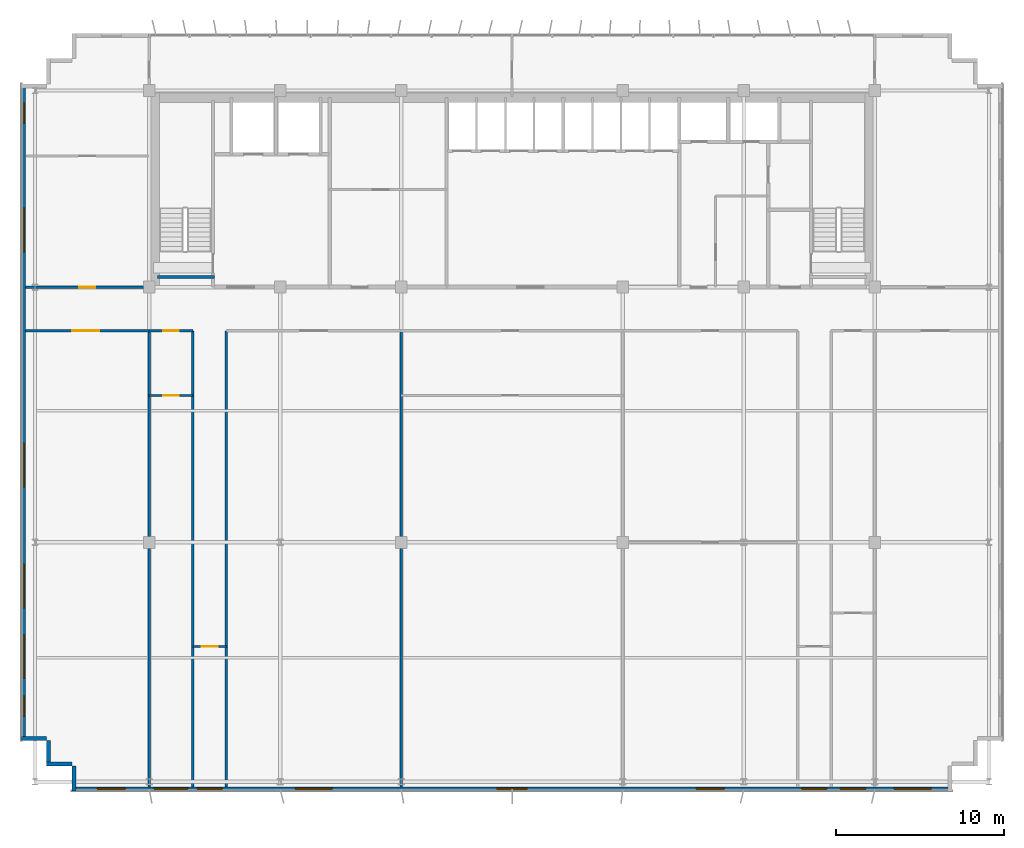
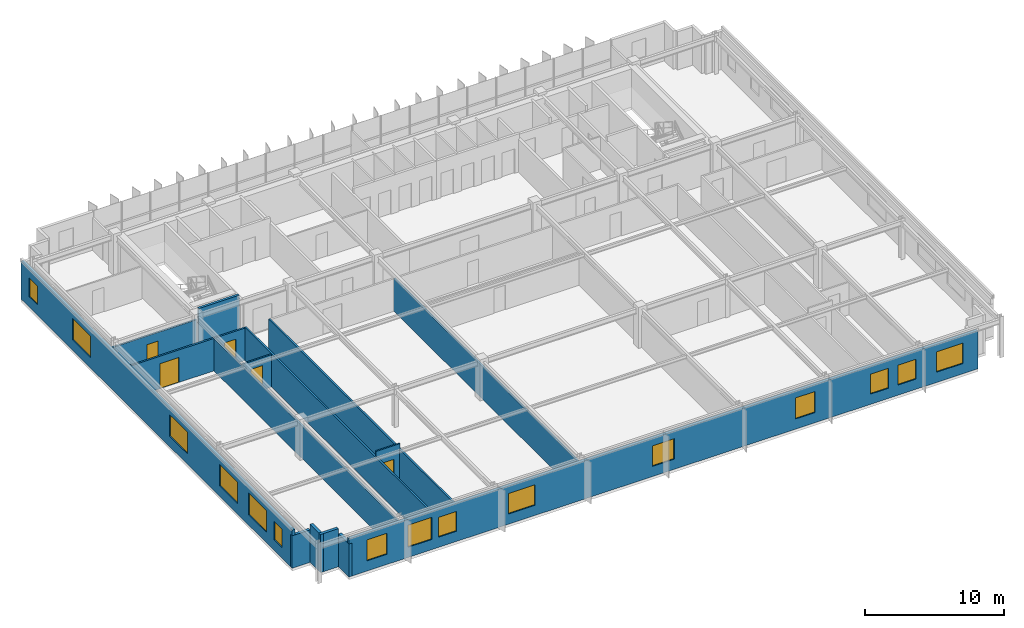
# One storey, part 14 of 19: 16 walls, 15 windows, 5 doors, 20 openings.
"""IFC4 building model written with IfcOpenShell, lengths in metres."""

from ifc_helpers import new_model, si_unit, direction, frame, frame_2d, origin, place, context, subcontext, project, spatial, rectangle, extrude, source, transform, mapped, material, layer, layer_set, type_object, element, fill, save


model = new_model("IFC4")

# Units and contexts
model_context = context("Model", 3, precision=1e-05, world=origin(), true_north=direction((0.0, 1.0)))
body_context = subcontext(model_context, "Body", "Model", "MODEL_VIEW")
ifc_project = project(units=[si_unit("LENGTHUNIT", "METRE"), si_unit("AREAUNIT", "SQUARE_METRE"), si_unit("VOLUMEUNIT", "CUBIC_METRE"), si_unit("PLANEANGLEUNIT", "RADIAN"), si_unit("MASSUNIT", "GRAM", prefix="KILO")], contexts=[model_context])

# Site, building, storey
site_placement = place(None, origin())
site = spatial("IfcSite", under=ifc_project, at=site_placement, CompositionType="ELEMENT")
building_placement = place(site_placement, origin())
building = spatial("IfcBuilding", under=site, at=building_placement, Name="Trelvane Seafront Commons", CompositionType="ELEMENT")
storey_placement = place(building_placement, frame((0.0, 0.0, 215.699951171875)))
storey = spatial("IfcBuildingStorey", under=building, at=storey_placement, Name="L56", CompositionType="ELEMENT", Elevation=215.699951171875)

# Walls
ifc_material_1 = material(Name="Precast concrete C40/50", Category="concrete")
ifc_layer_1 = layer(ifc_material_1, 0.239990234375, Name="ARCH-WALL-EXT240")
ifc_layer_set_1 = layer_set([ifc_layer_1], Name="Precast concrete C40/50")
wall_type_1 = type_object("IfcWallType", Name="ARCH-WALL-EXT240", PredefinedType="SOLIDWALL", material=ifc_layer_set_1)
for number, where, z_axis, x_axis, name in (
    (1, (11.0, 5.02001953125, 0.0), (0.0, 0.0, 1.0), (-1.0, 0.0, 0.0), "EW-L56-01122"),
    (2, (9.6201171875, 4.89990234375, 0.0), (0.0, 0.0, 1.0), (0.0, 1.0, 0.0), "EW-L56-01123"),
):
    element("IfcWall", number, at=place(storey_placement, frame(where, z_axis=z_axis, x_axis=x_axis)), inside=storey, type_object=wall_type_1, Name=name, PredefinedType="SOLIDWALL", context=body_context, shape_type="SweptSolid", body=[
        extrude(rectangle(XDim=1.5, YDim=0.239990234375, at=frame_2d((0.75, 0.0))), origin(), (0.0, 0.0, 1.0), 3.360107421875),
    ])
wall_1_placement = place(storey_placement, frame((9.5, 6.52001953125, 0.0), z_axis=(0.0, 0.0, 1.0), x_axis=(-1.0, 0.0, 0.0)))
element("IfcWall", 3, at=wall_1_placement, inside=storey, type_object=wall_type_1, Name="EW-L56-01124", PredefinedType="SOLIDWALL", context=body_context, shape_type="SweptSolid", body=[
    extrude(rectangle(XDim=1.5, YDim=0.239990234375, at=frame_2d((0.75, 0.0))), origin(), (0.0, 0.0, 1.0), 2.860107421875),
])

# Wall, openings, windows
wall_2_placement = place(storey_placement, frame((8.1201171875, 6.39990234375, 0.0), z_axis=(0.0, 0.0, 1.0), x_axis=(0.0, 1.0, 0.0)))
wall_2 = element("IfcWall", 4, at=wall_2_placement, inside=storey, type_object=wall_type_1, Name="EW-L56-01125", PredefinedType="SOLIDWALL", context=body_context, shape_type="SweptSolid", body=[
    extrude(rectangle(XDim=39.10009765625, YDim=0.239990234375, at=frame_2d((19.550048828125, 0.0))), origin(), (0.0, 0.0, 1.0), 3.360107421875),
])
opening_1_placement = place(wall_2_placement, frame((1.449951171875, 0.0, 0.919921875)))
opening_1 = element("IfcOpeningElement", 5, at=opening_1_placement, cuts=wall_2, Name="Opening W05", PredefinedType="OPENING", context=body_context, shape_type="SweptSolid", body=[
    extrude(rectangle(XDim=1.199951171875, YDim=1.64990234375, at=frame_2d((0.60009765625, 0.824951171875))), frame((0.0, 0.1298828125, 0.0), z_axis=(0.0, -1.0, 0.0), x_axis=(1.0, 0.0, 0.0)), (0.0, 0.0, 1.0), 0.260009765625),
])
opening_2_placement = place(wall_2_placement, frame((3.699951171875, 0.0, 0.919921875)))
opening_2 = element("IfcOpeningElement", 6, at=opening_2_placement, cuts=wall_2, Name="Opening W04", PredefinedType="OPENING", context=body_context, shape_type="SweptSolid", body=[
    extrude(rectangle(XDim=2.60009765625, YDim=1.89990234375, at=frame_2d((1.300048828125, 0.949951171875))), frame((0.0, 0.1298828125, 0.0), z_axis=(0.0, -1.0, 0.0), x_axis=(1.0, 0.0, 0.0)), (0.0, 0.0, 1.0), 0.260009765625),
])
opening_3_placement = place(wall_2_placement, frame((7.89990234375, 0.0, 0.919921875)))
opening_3 = element("IfcOpeningElement", 7, at=opening_3_placement, cuts=wall_2, Name="Opening W04", PredefinedType="OPENING", context=body_context, shape_type="SweptSolid", body=[
    extrude(rectangle(XDim=2.60009765625, YDim=1.89990234375, at=frame_2d((1.300048828125, 0.949951171875))), frame((0.0, 0.1298828125, 0.0), z_axis=(0.0, -1.0, 0.0), x_axis=(1.0, 0.0, 0.0)), (0.0, 0.0, 1.0), 0.260009765625),
])
opening_4_placement = place(wall_2_placement, frame((15.10009765625, 0.0, 0.919921875)))
opening_4 = element("IfcOpeningElement", 8, at=opening_4_placement, cuts=wall_2, Name="Opening W04", PredefinedType="OPENING", context=body_context, shape_type="SweptSolid", body=[
    extrude(rectangle(XDim=2.60009765625, YDim=1.89990234375, at=frame_2d((1.300048828125, 0.949951171875))), frame((0.0, 0.1298828125, 0.0), z_axis=(0.0, -1.0, 0.0), x_axis=(1.0, 0.0, 0.0)), (0.0, 0.0, 1.0), 0.260009765625),
])
opening_5_placement = place(wall_2_placement, frame((29.10009765625, 0.0, 0.919921875)))
opening_5 = element("IfcOpeningElement", 9, at=opening_5_placement, cuts=wall_2, Name="Opening W04", PredefinedType="OPENING", context=body_context, shape_type="SweptSolid", body=[
    extrude(rectangle(XDim=2.60009765625, YDim=1.89990234375, at=frame_2d((1.300048828125, 0.949951171875))), frame((0.0, 0.1298828125, 0.0), z_axis=(0.0, -1.0, 0.0), x_axis=(1.0, 0.0, 0.0)), (0.0, 0.0, 1.0), 0.260009765625),
])
opening_6_placement = place(wall_2_placement, frame((36.75, 0.0, 0.919921875)))
opening_6 = element("IfcOpeningElement", 10, at=opening_6_placement, cuts=wall_2, Name="Opening W05", PredefinedType="OPENING", context=body_context, shape_type="SweptSolid", body=[
    extrude(rectangle(XDim=1.199951171875, YDim=1.64990234375, at=frame_2d((0.60009765625, 0.824951171875))), frame((0.0, 0.1298828125, 0.0), z_axis=(0.0, -1.0, 0.0), x_axis=(1.0, 0.0, 0.0)), (0.0, 0.0, 1.0), 0.260009765625),
])
ifc_material_2 = material(Name="Low-E coastal double glazing", Category="glass")
window_type_1 = type_object("IfcWindowType", Name="ARCH-WIN-W04", PartitioningType="SINGLE_PANEL", PredefinedType="WINDOW", material=ifc_material_2)
shared_shape_1 = source(origin(), body_context, "Body", "SweptSolid", [
    extrude(rectangle(XDim=2.60009765625, YDim=1.89990234375, at=frame_2d((1.300048828125, 0.949951171875))), frame((0.0, 0.030029296875, 0.0), z_axis=(0.0, -1.0, 0.0), x_axis=(1.0, 0.0, 0.0)), (0.0, 0.0, 1.0), 0.06005859375),
])
window_1_placement = place(opening_2_placement, origin())
window_1 = element("IfcWindow", 11, at=window_1_placement, inside=storey, type_object=window_type_1, Name="WIN-L56-EW-01361", OverallHeight=1.89990234375, OverallWidth=2.60009765625, PartitioningType="SINGLE_PANEL", PredefinedType="WINDOW", context=body_context, shape_type="MappedRepresentation", body=[
    mapped(shared_shape_1, transform((0.0, 0.0, 0.0), x_axis=(1.0, 0.0, 0.0), y_axis=(0.0, 1.0, 0.0), z_axis=(0.0, 0.0, 1.0), scale=1.0)),
])
fill(opening_2, window_1)
window_2_placement = place(opening_3_placement, origin())
window_2 = element("IfcWindow", 12, at=window_2_placement, inside=storey, type_object=window_type_1, Name="WIN-L56-EW-01362", OverallHeight=1.89990234375, OverallWidth=2.60009765625, PartitioningType="SINGLE_PANEL", PredefinedType="WINDOW", context=body_context, shape_type="MappedRepresentation", body=[
    mapped(shared_shape_1, transform((0.0, 0.0, 0.0), x_axis=(1.0, 0.0, 0.0), y_axis=(0.0, 1.0, 0.0), z_axis=(0.0, 0.0, 1.0), scale=1.0)),
])
fill(opening_3, window_2)
window_3_placement = place(opening_4_placement, origin())
window_3 = element("IfcWindow", 13, at=window_3_placement, inside=storey, type_object=window_type_1, Name="WIN-L56-EW-01363", OverallHeight=1.89990234375, OverallWidth=2.60009765625, PartitioningType="SINGLE_PANEL", PredefinedType="WINDOW", context=body_context, shape_type="MappedRepresentation", body=[
    mapped(shared_shape_1, transform((0.0, 0.0, 0.0), x_axis=(1.0, 0.0, 0.0), y_axis=(0.0, 1.0, 0.0), z_axis=(0.0, 0.0, 1.0), scale=1.0)),
])
fill(opening_4, window_3)
window_4_placement = place(opening_5_placement, origin())
window_4 = element("IfcWindow", 14, at=window_4_placement, inside=storey, type_object=window_type_1, Name="WIN-L56-EW-01364", OverallHeight=1.89990234375, OverallWidth=2.60009765625, PartitioningType="SINGLE_PANEL", PredefinedType="WINDOW", context=body_context, shape_type="MappedRepresentation", body=[
    mapped(shared_shape_1, transform((0.0, 0.0, 0.0), x_axis=(1.0, 0.0, 0.0), y_axis=(0.0, 1.0, 0.0), z_axis=(0.0, 0.0, 1.0), scale=1.0)),
])
fill(opening_5, window_4)
window_type_2 = type_object("IfcWindowType", Name="ARCH-WIN-W05", PartitioningType="SINGLE_PANEL", PredefinedType="WINDOW", material=ifc_material_2)
shared_shape_2 = source(origin(), body_context, "Body", "SweptSolid", [
    extrude(rectangle(XDim=1.199951171875, YDim=1.64990234375, at=frame_2d((0.60009765625, 0.824951171875))), frame((0.0, 0.030029296875, 0.0), z_axis=(0.0, -1.0, 0.0), x_axis=(1.0, 0.0, 0.0)), (0.0, 0.0, 1.0), 0.06005859375),
])
window_5_placement = place(opening_1_placement, origin())
window_5 = element("IfcWindow", 15, at=window_5_placement, inside=storey, type_object=window_type_2, Name="WIN-L56-EW-01360", OverallHeight=1.64990234375, OverallWidth=1.199951171875, PartitioningType="SINGLE_PANEL", PredefinedType="WINDOW", context=body_context, shape_type="MappedRepresentation", body=[
    mapped(shared_shape_2, transform((0.0, 0.0, 0.0), x_axis=(1.0, 0.0, 0.0), y_axis=(0.0, 1.0, 0.0), z_axis=(0.0, 0.0, 1.0), scale=1.0)),
])
fill(opening_1, window_5)
window_6_placement = place(opening_6_placement, origin())
window_6 = element("IfcWindow", 16, at=window_6_placement, inside=storey, type_object=window_type_2, Name="WIN-L56-EW-01365", OverallHeight=1.64990234375, OverallWidth=1.199951171875, PartitioningType="SINGLE_PANEL", PredefinedType="WINDOW", context=body_context, shape_type="MappedRepresentation", body=[
    mapped(shared_shape_2, transform((0.0, 0.0, 0.0), x_axis=(1.0, 0.0, 0.0), y_axis=(0.0, 1.0, 0.0), z_axis=(0.0, 0.0, 1.0), scale=1.0)),
])
fill(opening_6, window_6)

wall_3_placement = place(storey_placement, frame((63.39990234375, 3.52001953125, 0.0), z_axis=(0.0, 0.0, 1.0), x_axis=(-1.0, 0.0, 0.0)))
wall_3 = element("IfcWall", 17, at=wall_3_placement, inside=storey, type_object=wall_type_1, Name="EW-L56-01139", PredefinedType="SOLIDWALL", context=body_context, shape_type="SweptSolid", body=[
    extrude(rectangle(XDim=52.39990234375, YDim=0.239990234375, at=frame_2d((26.199951171875, 0.0))), origin(), (0.0, 0.0, 1.0), 3.360107421875),
])
opening_7_placement = place(wall_3_placement, frame((1.2451171875, 0.0, 0.89990234375)))
opening_7 = element("IfcOpeningElement", 18, at=opening_7_placement, cuts=wall_3, Name="Opening W02", PredefinedType="OPENING", context=body_context, shape_type="SweptSolid", body=[
    extrude(rectangle(XDim=2.199951171875, YDim=1.800048828125, at=frame_2d((1.10009765625, 0.89990234375))), frame((0.0, 0.1298828125, 0.0), z_axis=(0.0, -1.0, 0.0), x_axis=(1.0, 0.0, 0.0)), (0.0, 0.0, 1.0), 0.260009765625),
])
opening_8_placement = place(wall_3_placement, frame((5.14990234375, 0.0, 0.89990234375)))
opening_8 = element("IfcOpeningElement", 19, at=opening_8_placement, cuts=wall_3, Name="Opening W03", PredefinedType="OPENING", context=body_context, shape_type="SweptSolid", body=[
    extrude(rectangle(XDim=1.5, YDim=1.75, at=frame_2d((0.75, 0.875))), frame((0.0, 0.1298828125, 0.0), z_axis=(0.0, -1.0, 0.0), x_axis=(1.0, 0.0, 0.0)), (0.0, 0.0, 1.0), 0.260009765625),
])
opening_9_placement = place(wall_3_placement, frame((7.449951171875, 0.0, 0.89990234375)))
opening_9 = element("IfcOpeningElement", 20, at=opening_9_placement, cuts=wall_3, Name="Opening W03", PredefinedType="OPENING", context=body_context, shape_type="SweptSolid", body=[
    extrude(rectangle(XDim=1.5, YDim=1.75, at=frame_2d((0.75, 0.875))), frame((0.0, 0.1298828125, 0.0), z_axis=(0.0, -1.0, 0.0), x_axis=(1.0, 0.0, 0.0)), (0.0, 0.0, 1.0), 0.260009765625),
])
opening_10_placement = place(wall_3_placement, frame((13.574951171875, 0.0, 0.89990234375)))
opening_10 = element("IfcOpeningElement", 21, at=opening_10_placement, cuts=wall_3, Name="Opening W07", PredefinedType="OPENING", context=body_context, shape_type="SweptSolid", body=[
    extrude(rectangle(XDim=1.64990234375, YDim=1.85009765625, at=frame_2d((0.824951171875, 0.925048828125))), frame((0.0, 0.1298828125, 0.0), z_axis=(0.0, -1.0, 0.0), x_axis=(1.0, 0.0, 0.0)), (0.0, 0.0, 1.0), 0.260009765625),
])
opening_11_placement = place(wall_3_placement, frame((25.300048828125, 0.0, 0.89990234375)))
opening_11 = element("IfcOpeningElement", 22, at=opening_11_placement, cuts=wall_3, Name="Opening W01", PredefinedType="OPENING", context=body_context, shape_type="SweptSolid", body=[
    extrude(rectangle(XDim=1.800048828125, YDim=1.800048828125, at=frame_2d((0.89990234375, 0.89990234375))), frame((0.0, 0.1298828125, 0.0), z_axis=(0.0, -1.0, 0.0), x_axis=(1.0, 0.0, 0.0)), (0.0, 0.0, 1.0), 0.260009765625),
])
opening_12_placement = place(wall_3_placement, frame((36.89990234375, 0.0, 0.89990234375)))
opening_12 = element("IfcOpeningElement", 23, at=opening_12_placement, cuts=wall_3, Name="Opening W02", PredefinedType="OPENING", context=body_context, shape_type="SweptSolid", body=[
    extrude(rectangle(XDim=2.199951171875, YDim=1.800048828125, at=frame_2d((1.10009765625, 0.89990234375))), frame((0.0, 0.1298828125, 0.0), z_axis=(0.0, -1.0, 0.0), x_axis=(1.0, 0.0, 0.0)), (0.0, 0.0, 1.0), 0.260009765625),
])
opening_13_placement = place(wall_3_placement, frame((43.449951171875, 0.0, 0.89990234375)))
opening_13 = element("IfcOpeningElement", 24, at=opening_13_placement, cuts=wall_3, Name="Opening W03", PredefinedType="OPENING", context=body_context, shape_type="SweptSolid", body=[
    extrude(rectangle(XDim=1.5, YDim=1.75, at=frame_2d((0.75, 0.875))), frame((0.0, 0.1298828125, 0.0), z_axis=(0.0, -1.0, 0.0), x_axis=(1.0, 0.0, 0.0)), (0.0, 0.0, 1.0), 0.260009765625),
])
opening_14_placement = place(wall_3_placement, frame((45.5, 0.0, 0.89990234375)))
opening_14 = element("IfcOpeningElement", 25, at=opening_14_placement, cuts=wall_3, Name="Opening W06", PredefinedType="OPENING", context=body_context, shape_type="SweptSolid", body=[
    extrude(rectangle(XDim=2.0, YDim=1.949951171875, at=frame_2d((1.0, 0.97509765625))), frame((0.0, 0.1298828125, 0.0), z_axis=(0.0, -1.0, 0.0), x_axis=(1.0, 0.0, 0.0)), (0.0, 0.0, 1.0), 0.260009765625),
])
opening_15_placement = place(wall_3_placement, frame((49.22998046875, 0.0, 0.89990234375)))
opening_15 = element("IfcOpeningElement", 26, at=opening_15_placement, cuts=wall_3, Name="Opening W07", PredefinedType="OPENING", context=body_context, shape_type="SweptSolid", body=[
    extrude(rectangle(XDim=1.64990234375, YDim=1.85009765625, at=frame_2d((0.824951171875, 0.925048828125))), frame((0.0, 0.1298828125, 0.0), z_axis=(0.0, -1.0, 0.0), x_axis=(1.0, 0.0, 0.0)), (0.0, 0.0, 1.0), 0.260009765625),
])
window_type_3 = type_object("IfcWindowType", Name="ARCH-WIN-W02", PartitioningType="SINGLE_PANEL", PredefinedType="WINDOW", material=ifc_material_2)
shared_shape_3 = source(origin(), body_context, "Body", "SweptSolid", [
    extrude(rectangle(XDim=2.199951171875, YDim=1.800048828125, at=frame_2d((1.10009765625, 0.89990234375))), frame((0.0, 0.030029296875, 0.0), z_axis=(0.0, -1.0, 0.0), x_axis=(1.0, 0.0, 0.0)), (0.0, 0.0, 1.0), 0.06005859375),
])
window_7_placement = place(opening_7_placement, origin())
window_7 = element("IfcWindow", 27, at=window_7_placement, inside=storey, type_object=window_type_3, Name="WIN-L56-01373", OverallHeight=1.800048828125, OverallWidth=2.199951171875, PartitioningType="SINGLE_PANEL", PredefinedType="WINDOW", context=body_context, shape_type="MappedRepresentation", body=[
    mapped(shared_shape_3, transform((0.0, 0.0, 0.0), x_axis=(1.0, 0.0, 0.0), y_axis=(0.0, 1.0, 0.0), z_axis=(0.0, 0.0, 1.0), scale=1.0)),
])
fill(opening_7, window_7)
window_8_placement = place(opening_12_placement, origin())
window_8 = element("IfcWindow", 28, at=window_8_placement, inside=storey, type_object=window_type_3, Name="WIN-L56-01378", OverallHeight=1.800048828125, OverallWidth=2.199951171875, PartitioningType="SINGLE_PANEL", PredefinedType="WINDOW", context=body_context, shape_type="MappedRepresentation", body=[
    mapped(shared_shape_3, transform((0.0, 0.0, 0.0), x_axis=(1.0, 0.0, 0.0), y_axis=(0.0, 1.0, 0.0), z_axis=(0.0, 0.0, 1.0), scale=1.0)),
])
fill(opening_12, window_8)
window_type_4 = type_object("IfcWindowType", Name="ARCH-WIN-W03", PartitioningType="SINGLE_PANEL", PredefinedType="WINDOW", material=ifc_material_2)
shared_shape_4 = source(origin(), body_context, "Body", "SweptSolid", [
    extrude(rectangle(XDim=1.5, YDim=1.75, at=frame_2d((0.75, 0.875))), frame((0.0, 0.030029296875, 0.0), z_axis=(0.0, -1.0, 0.0), x_axis=(1.0, 0.0, 0.0)), (0.0, 0.0, 1.0), 0.06005859375),
])
window_9_placement = place(opening_8_placement, origin())
window_9 = element("IfcWindow", 29, at=window_9_placement, inside=storey, type_object=window_type_4, Name="WIN-L56-01374", OverallHeight=1.75, OverallWidth=1.5, PartitioningType="SINGLE_PANEL", PredefinedType="WINDOW", context=body_context, shape_type="MappedRepresentation", body=[
    mapped(shared_shape_4, transform((0.0, 0.0, 0.0), x_axis=(1.0, 0.0, 0.0), y_axis=(0.0, 1.0, 0.0), z_axis=(0.0, 0.0, 1.0), scale=1.0)),
])
fill(opening_8, window_9)
window_10_placement = place(opening_9_placement, origin())
window_10 = element("IfcWindow", 30, at=window_10_placement, inside=storey, type_object=window_type_4, Name="WIN-L56-01375", OverallHeight=1.75, OverallWidth=1.5, PartitioningType="SINGLE_PANEL", PredefinedType="WINDOW", context=body_context, shape_type="MappedRepresentation", body=[
    mapped(shared_shape_4, transform((0.0, 0.0, 0.0), x_axis=(1.0, 0.0, 0.0), y_axis=(0.0, 1.0, 0.0), z_axis=(0.0, 0.0, 1.0), scale=1.0)),
])
fill(opening_9, window_10)
window_11_placement = place(opening_13_placement, origin())
window_11 = element("IfcWindow", 31, at=window_11_placement, inside=storey, type_object=window_type_4, Name="WIN-L56-01379", OverallHeight=1.75, OverallWidth=1.5, PartitioningType="SINGLE_PANEL", PredefinedType="WINDOW", context=body_context, shape_type="MappedRepresentation", body=[
    mapped(shared_shape_4, transform((0.0, 0.0, 0.0), x_axis=(1.0, 0.0, 0.0), y_axis=(0.0, 1.0, 0.0), z_axis=(0.0, 0.0, 1.0), scale=1.0)),
])
fill(opening_13, window_11)
window_type_5 = type_object("IfcWindowType", Name="ARCH-WIN-W06", PartitioningType="SINGLE_PANEL", PredefinedType="WINDOW", material=ifc_material_2)
shared_shape_5 = source(origin(), body_context, "Body", "SweptSolid", [
    extrude(rectangle(XDim=2.0, YDim=1.949951171875, at=frame_2d((1.0, 0.97509765625))), frame((0.0, 0.030029296875, 0.0), z_axis=(0.0, -1.0, 0.0), x_axis=(1.0, 0.0, 0.0)), (0.0, 0.0, 1.0), 0.06005859375),
])
window_12_placement = place(opening_14_placement, origin())
window_12 = element("IfcWindow", 32, at=window_12_placement, inside=storey, type_object=window_type_5, Name="WIN-L56-01380", OverallHeight=1.949951171875, OverallWidth=2.0, PartitioningType="SINGLE_PANEL", PredefinedType="WINDOW", context=body_context, shape_type="MappedRepresentation", body=[
    mapped(shared_shape_5, transform((0.0, 0.0, 0.0), x_axis=(1.0, 0.0, 0.0), y_axis=(0.0, 1.0, 0.0), z_axis=(0.0, 0.0, 1.0), scale=1.0)),
])
fill(opening_14, window_12)
window_type_6 = type_object("IfcWindowType", Name="ARCH-WIN-W01", PartitioningType="SINGLE_PANEL", PredefinedType="WINDOW", material=ifc_material_2)
shared_shape_6 = source(origin(), body_context, "Body", "SweptSolid", [
    extrude(rectangle(XDim=1.800048828125, YDim=1.800048828125, at=frame_2d((0.89990234375, 0.89990234375))), frame((0.0, 0.030029296875, 0.0), z_axis=(0.0, -1.0, 0.0), x_axis=(1.0, 0.0, 0.0)), (0.0, 0.0, 1.0), 0.06005859375),
])
window_13_placement = place(opening_11_placement, origin())
window_13 = element("IfcWindow", 33, at=window_13_placement, inside=storey, type_object=window_type_6, Name="WIN-L56-01377", OverallHeight=1.800048828125, OverallWidth=1.800048828125, PartitioningType="SINGLE_PANEL", PredefinedType="WINDOW", context=body_context, shape_type="MappedRepresentation", body=[
    mapped(shared_shape_6, transform((0.0, 0.0, 0.0), x_axis=(1.0, 0.0, 0.0), y_axis=(0.0, 1.0, 0.0), z_axis=(0.0, 0.0, 1.0), scale=1.0)),
])
fill(opening_11, window_13)
window_type_7 = type_object("IfcWindowType", Name="ARCH-WIN-W07", PartitioningType="SINGLE_PANEL", PredefinedType="WINDOW", material=ifc_material_2)
shared_shape_7 = source(origin(), body_context, "Body", "SweptSolid", [
    extrude(rectangle(XDim=1.64990234375, YDim=1.85009765625, at=frame_2d((0.824951171875, 0.925048828125))), frame((0.0, 0.030029296875, 0.0), z_axis=(0.0, -1.0, 0.0), x_axis=(1.0, 0.0, 0.0)), (0.0, 0.0, 1.0), 0.06005859375),
])
window_14_placement = place(opening_10_placement, origin())
window_14 = element("IfcWindow", 34, at=window_14_placement, inside=storey, type_object=window_type_7, Name="WIN-L56-01376", OverallHeight=1.85009765625, OverallWidth=1.64990234375, PartitioningType="SINGLE_PANEL", PredefinedType="WINDOW", context=body_context, shape_type="MappedRepresentation", body=[
    mapped(shared_shape_7, transform((0.0, 0.0, 0.0), x_axis=(1.0, 0.0, 0.0), y_axis=(0.0, 1.0, 0.0), z_axis=(0.0, 0.0, 1.0), scale=1.0)),
])
fill(opening_10, window_14)
window_15_placement = place(opening_15_placement, origin())
window_15 = element("IfcWindow", 35, at=window_15_placement, inside=storey, type_object=window_type_7, Name="WIN-L56-01381", OverallHeight=1.85009765625, OverallWidth=1.64990234375, PartitioningType="SINGLE_PANEL", PredefinedType="WINDOW", context=body_context, shape_type="MappedRepresentation", body=[
    mapped(shared_shape_7, transform((0.0, 0.0, 0.0), x_axis=(1.0, 0.0, 0.0), y_axis=(0.0, 1.0, 0.0), z_axis=(0.0, 0.0, 1.0), scale=1.0)),
])
fill(opening_15, window_15)

# Wall
wall_4_placement = place(storey_placement, frame((11.1201171875, 3.39990234375, 0.0), z_axis=(0.0, 0.0, 1.0), x_axis=(0.0, 1.0, 0.0)))
element("IfcWall", 36, at=wall_4_placement, inside=storey, type_object=wall_type_1, Name="EW-L56-01140", PredefinedType="SOLIDWALL", context=body_context, shape_type="SweptSolid", body=[
    extrude(rectangle(XDim=1.5, YDim=0.239990234375, at=frame_2d((0.75, 0.0))), origin(), (0.0, 0.0, 1.0), 2.91015625),
])

# Wall, opening, door
ifc_material_3 = material(Name="Gypsum Drywall Acoustic Partition")
ifc_layer_2 = layer(ifc_material_3, 0.1201171875, Name="ARCH-WALL-PART120")
ifc_layer_set_2 = layer_set([ifc_layer_2], Name="Gypsum Drywall Acoustic Partition")
wall_type_2 = type_object("IfcWallType", Name="ARCH-WALL-PART120", PredefinedType="PARTITIONING", material=ifc_layer_set_2)
wall_5_placement = place(storey_placement, frame((15.60009765625, 26.949951171875, 0.0), z_axis=(0.0, 0.0, 1.0), x_axis=(1.0, 0.0, 0.0)))
wall_5 = element("IfcWall", 37, at=wall_5_placement, inside=storey, type_object=wall_type_2, Name="W-L56-U2-DIV-048", PredefinedType="PARTITIONING", context=body_context, shape_type="SweptSolid", body=[
    extrude(rectangle(XDim=2.599853515625, YDim=0.1201171875, at=frame_2d((1.2998046875, 0.0))), origin(), (0.0, 0.0, 1.0), 2.860107421875),
])
opening_16_placement = place(wall_5_placement, frame((0.824951171875, 0.0, 0.0)))
opening_16 = element("IfcOpeningElement", 38, at=opening_16_placement, cuts=wall_5, Name="Opening D-L56-31", PredefinedType="OPENING", context=body_context, shape_type="SweptSolid", body=[
    extrude(rectangle(XDim=0.949951171875, YDim=2.14990234375, at=frame_2d((0.47509765625, 1.074951171875))), frame((0.0, 0.070068359375, 0.0), z_axis=(0.0, -1.0, 0.0), x_axis=(1.0, 0.0, 0.0)), (0.0, 0.0, 1.0), 0.14013671875),
])
ifc_material_4 = material(Name="Acoustic timber door leaf", Category="wood")
door_type_1 = type_object("IfcDoorType", Name="ARCH-DR-INT950", OperationType="NOTDEFINED", PredefinedType="DOOR", material=ifc_material_4)
shared_shape_8 = source(origin(), body_context, "Body", "SweptSolid", [
    extrude(rectangle(XDim=0.949951171875, YDim=2.14990234375, at=frame_2d((0.47509765625, 1.074951171875))), frame((0.0, 0.02490234375, 0.0), z_axis=(0.0, -1.0, 0.0), x_axis=(1.0, 0.0, 0.0)), (0.0, 0.0, 1.0), 0.050048828125),
])
door_1_placement = place(opening_16_placement, origin())
door_1 = element("IfcDoor", 39, at=door_1_placement, inside=storey, type_object=door_type_1, Name="L56 Door 31", OperationType="SINGLE_SWING_LEFT", OverallHeight=2.14990234375, OverallWidth=0.949951171875, PredefinedType="DOOR", context=body_context, shape_type="MappedRepresentation", body=[
    mapped(shared_shape_8, transform((0.0, 0.0, 0.0), x_axis=(1.0, 0.0, 0.0), y_axis=(0.0, 1.0, 0.0), z_axis=(0.0, 0.0, 1.0), scale=1.0)),
])
fill(opening_16, door_1)

wall_6_placement = place(storey_placement, frame((18.199951171875, 12.0, 0.0), z_axis=(0.0, 0.0, 1.0), x_axis=(1.0, 0.0, 0.0)))
wall_6 = element("IfcWall", 40, at=wall_6_placement, inside=storey, type_object=wall_type_2, Name="W-L56-ARM-END-3-051", PredefinedType="PARTITIONING", context=body_context, shape_type="SweptSolid", body=[
    extrude(rectangle(XDim=2.0, YDim=0.1201171875, at=frame_2d((1.0, 0.0))), origin(), (0.0, 0.0, 1.0), 3.360107421875),
])
opening_17_placement = place(wall_6_placement, frame((0.52001953125, 0.0, 0.0)))
opening_17 = element("IfcOpeningElement", 41, at=opening_17_placement, cuts=wall_6, Name="Opening D-L56-32", PredefinedType="OPENING", context=body_context, shape_type="SweptSolid", body=[
    extrude(rectangle(XDim=0.949951171875, YDim=2.14990234375, at=frame_2d((0.47509765625, 1.074951171875))), frame((0.0, 0.070068359375, 0.0), z_axis=(0.0, -1.0, 0.0), x_axis=(1.0, 0.0, 0.0)), (0.0, 0.0, 1.0), 0.14013671875),
])
door_2_placement = place(opening_17_placement, origin())
door_2 = element("IfcDoor", 42, at=door_2_placement, inside=storey, type_object=door_type_1, Name="L56 Door 32", OperationType="SINGLE_SWING_RIGHT", OverallHeight=2.14990234375, OverallWidth=0.949951171875, PredefinedType="DOOR", context=body_context, shape_type="MappedRepresentation", body=[
    mapped(shared_shape_8, transform((0.0, 0.0, 0.0), x_axis=(1.0, 0.0, 0.0), y_axis=(0.0, 1.0, 0.0), z_axis=(0.0, 0.0, 1.0), scale=1.0)),
])
fill(opening_17, door_2)

ifc_layer_3 = layer(ifc_material_3, 0.14990234375, Name="ARCH-WALL-PART150")
ifc_layer_set_3 = layer_set([ifc_layer_3], Name="Gypsum Drywall Acoustic Partition")
wall_type_3 = type_object("IfcWallType", Name="ARCH-WALL-PART150", PredefinedType="PARTITIONING", material=ifc_layer_set_3)
wall_7_placement = place(storey_placement, frame((8.25, 33.39990234375, 0.0), z_axis=(0.0, 0.0, 1.0), x_axis=(1.0, 0.0, 0.0)))
wall_7 = element("IfcWall", 43, at=wall_7_placement, inside=storey, type_object=wall_type_3, Name="W-L56-NW-ENT-037", PredefinedType="PARTITIONING", context=body_context, shape_type="SweptSolid", body=[
    extrude(rectangle(XDim=7.35009765625, YDim=0.14990234375, at=frame_2d((3.675048828125, 0.0))), origin(), (0.0, 0.0, 1.0), 2.91015625),
])
opening_18_placement = place(wall_7_placement, frame((3.19189453125, 0.0, 0.0)))
opening_18 = element("IfcOpeningElement", 44, at=opening_18_placement, cuts=wall_7, Name="Opening FD-L56-24", PredefinedType="OPENING", context=body_context, shape_type="SweptSolid", body=[
    extrude(rectangle(XDim=0.949951171875, YDim=2.14990234375, at=frame_2d((0.47509765625, 1.074951171875))), frame((0.0, 0.0849609375, 0.0), z_axis=(0.0, -1.0, 0.0), x_axis=(1.0, 0.0, 0.0)), (0.0, 0.0, 1.0), 0.169921875),
])
ifc_material_5 = material(Name="Powder-coated aluminium frame", Category="aluminium")
door_type_2 = type_object("IfcDoorType", Name="ARCH-DR-FD60-950", OperationType="NOTDEFINED", PredefinedType="DOOR", material=ifc_material_5)
door_3_placement = place(opening_18_placement, origin())
door_3 = element("IfcDoor", 45, at=door_3_placement, inside=storey, type_object=door_type_2, Name="L56 NW Suite Entrance Door", OperationType="SINGLE_SWING_RIGHT", OverallHeight=2.14990234375, OverallWidth=0.949951171875, PredefinedType="DOOR", context=body_context, shape_type="MappedRepresentation", body=[
    mapped(shared_shape_8, transform((0.0, 0.0, 0.0), x_axis=(1.0, 0.0, 0.0), y_axis=(0.0, 1.0, 0.0), z_axis=(0.0, 0.0, 1.0), scale=1.0)),
])
fill(opening_18, door_3)

# Walls
for number, where, z_axis, x_axis, name in (
    (46, (15.60009765625, 3.625, 0.0), (0.0, 0.0, 1.0), (0.0, 1.0, 0.0), "W-L56-PW-1-042"),
    (47, (30.60009765625, 3.625, 0.0), (0.0, 0.0, 1.0), (0.0, 1.0, 0.0), "W-L56-PW-4-043"),
):
    element("IfcWall", number, at=place(storey_placement, frame(where, z_axis=z_axis, x_axis=x_axis)), inside=storey, type_object=wall_type_3, Name=name, PredefinedType="PARTITIONING", context=body_context, shape_type="SweptSolid", body=[
        extrude(rectangle(XDim=27.175048828125, YDim=0.14990234375, at=frame_2d((13.58740234375, 0.0))), origin(), (0.0, 0.0, 1.0), 2.860107421875),
    ])

# Wall, opening, door
wall_8_placement = place(storey_placement, frame((8.22509765625, 30.800048828125, 0.0), z_axis=(0.0, 0.0, 1.0), x_axis=(1.0, 0.0, 0.0)))
wall_8 = element("IfcWall", 48, at=wall_8_placement, inside=storey, type_object=wall_type_3, Name="W-L56-CS-BAY-1-046", PredefinedType="PARTITIONING", context=body_context, shape_type="SweptSolid", body=[
    extrude(rectangle(XDim=7.375, YDim=0.14990234375, at=frame_2d((3.6875, 0.0))), origin(), (0.0, 0.0, 1.0), 2.860107421875),
])
opening_19_placement = place(wall_8_placement, frame((2.794921875, 0.0, 0.0)))
opening_19 = element("IfcOpeningElement", 49, at=opening_19_placement, cuts=wall_8, Name="Opening D-L56-29", PredefinedType="OPENING", context=body_context, shape_type="SweptSolid", body=[
    extrude(rectangle(XDim=1.60009765625, YDim=2.199951171875, at=frame_2d((0.800048828125, 1.10009765625))), frame((0.0, 0.0849609375, 0.0), z_axis=(0.0, -1.0, 0.0), x_axis=(1.0, 0.0, 0.0)), (0.0, 0.0, 1.0), 0.169921875),
])
door_type_3 = type_object("IfcDoorType", Name="ARCH-DR-GLZ1600", OperationType="DOUBLE_DOOR_SINGLE_SWING", PredefinedType="DOOR", material=ifc_material_4)
shared_shape_9 = source(origin(), body_context, "Body", "SweptSolid", [
    extrude(rectangle(XDim=1.60009765625, YDim=2.199951171875, at=frame_2d((0.800048828125, 1.10009765625))), frame((0.0, 0.02490234375, 0.0), z_axis=(0.0, -1.0, 0.0), x_axis=(1.0, 0.0, 0.0)), (0.0, 0.0, 1.0), 0.050048828125),
])
door_4_placement = place(opening_19_placement, origin())
door_4 = element("IfcDoor", 50, at=door_4_placement, inside=storey, type_object=door_type_3, Name="L56 Commons Lounge 01 Door", OperationType="DOUBLE_DOOR_SINGLE_SWING", OverallHeight=2.199951171875, OverallWidth=1.60009765625, PredefinedType="DOOR", context=body_context, shape_type="MappedRepresentation", body=[
    mapped(shared_shape_9, transform((0.0, 0.0, 0.0), x_axis=(1.0, 0.0, 0.0), y_axis=(0.0, 1.0, 0.0), z_axis=(0.0, 0.0, 1.0), scale=1.0)),
])
fill(opening_19, door_4)

wall_9_placement = place(storey_placement, frame((15.60009765625, 30.800048828125, 0.0), z_axis=(0.0, 0.0, 1.0), x_axis=(1.0, 0.0, 0.0)))
wall_9 = element("IfcWall", 51, at=wall_9_placement, inside=storey, type_object=wall_type_3, Name="W-L56-CS-BAY-2-047", PredefinedType="PARTITIONING", context=body_context, shape_type="SweptSolid", body=[
    extrude(rectangle(XDim=2.599853515625, YDim=0.14990234375, at=frame_2d((1.2998046875, 0.0))), origin(), (0.0, 0.0, 1.0), 2.860107421875),
])
opening_20_placement = place(wall_9_placement, frame((0.824951171875, 0.0, 0.0)))
opening_20 = element("IfcOpeningElement", 52, at=opening_20_placement, cuts=wall_9, Name="Opening FD-L56-30", PredefinedType="OPENING", context=body_context, shape_type="SweptSolid", body=[
    extrude(rectangle(XDim=0.949951171875, YDim=2.14990234375, at=frame_2d((0.47509765625, 1.074951171875))), frame((0.0, 0.0849609375, 0.0), z_axis=(0.0, -1.0, 0.0), x_axis=(1.0, 0.0, 0.0)), (0.0, 0.0, 1.0), 0.169921875),
])
door_5_placement = place(opening_20_placement, origin())
door_5 = element("IfcDoor", 53, at=door_5_placement, inside=storey, type_object=door_type_2, Name="L56 Bay 02 Entrance Door", OperationType="SINGLE_SWING_RIGHT", OverallHeight=2.14990234375, OverallWidth=0.949951171875, PredefinedType="DOOR", context=body_context, shape_type="MappedRepresentation", body=[
    mapped(shared_shape_8, transform((0.0, 0.0, 0.0), x_axis=(1.0, 0.0, 0.0), y_axis=(0.0, 1.0, 0.0), z_axis=(0.0, 0.0, 1.0), scale=1.0)),
])
fill(opening_20, door_5)

# Walls
for number, where, z_axis, x_axis, name in (
    (54, (18.199951171875, 3.625, 0.0), (0.0, 0.0, 1.0), (0.0, 1.0, 0.0), "W-L56-ARM-W-3-049"),
    (55, (20.199951171875, 3.625, 0.0), (0.0, 0.0, 1.0), (0.0, 1.0, 0.0), "W-L56-ARM-E-3-050"),
):
    element("IfcWall", number, at=place(storey_placement, frame(where, z_axis=z_axis, x_axis=x_axis)), inside=storey, type_object=wall_type_3, Name=name, PredefinedType="PARTITIONING", context=body_context, shape_type="SweptSolid", body=[
        extrude(rectangle(XDim=27.175048828125, YDim=0.14990234375, at=frame_2d((13.58740234375, 0.0))), origin(), (0.0, 0.0, 1.0), 2.91015625),
    ])
ifc_material_6 = material(Name="Concrete C50/60", Category="concrete")
ifc_layer_4 = layer(ifc_material_6, 0.199951171875, Name="STR-WALL-STAIR200")
ifc_layer_set_4 = layer_set([ifc_layer_4], Name="Concrete C50/60")
wall_type_4 = type_object("IfcWallType", Name="STR-WALL-STAIR200", PredefinedType="SHEAR", material=ifc_layer_set_4)
wall_10_placement = place(storey_placement, frame((16.10009765625, 34.0, 0.0), z_axis=(0.0, 0.0, 1.0), x_axis=(1.0, 0.0, 0.0)))
element("IfcWall", 56, at=wall_10_placement, inside=storey, type_object=wall_type_4, Name="W-L56-ST1-S-004", PredefinedType="SHEAR", context=body_context, shape_type="SweptSolid", body=[
    extrude(rectangle(XDim=3.39990234375, YDim=0.199951171875, at=frame_2d((1.699951171875, 0.0))), origin(), (0.0, 0.0, 1.0), 3.360107421875),
])

save(model, "model.ifc")
